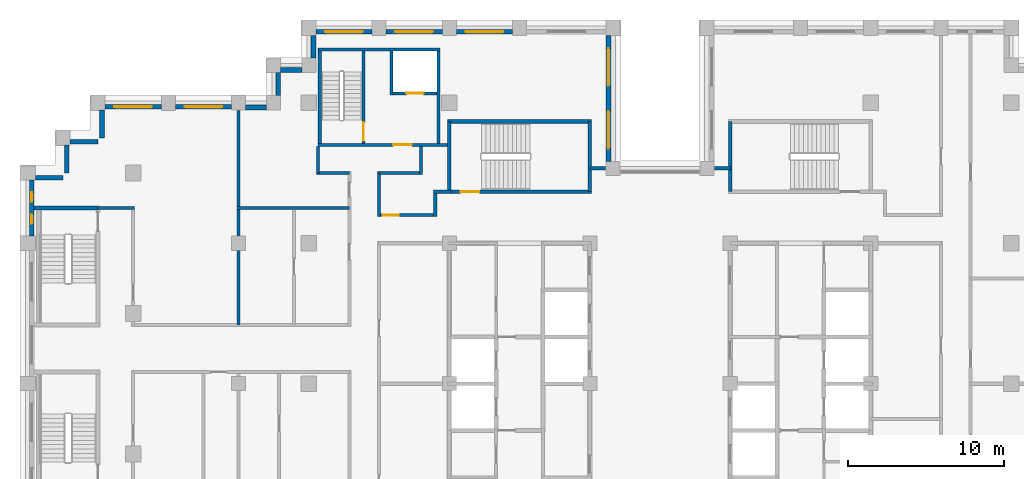
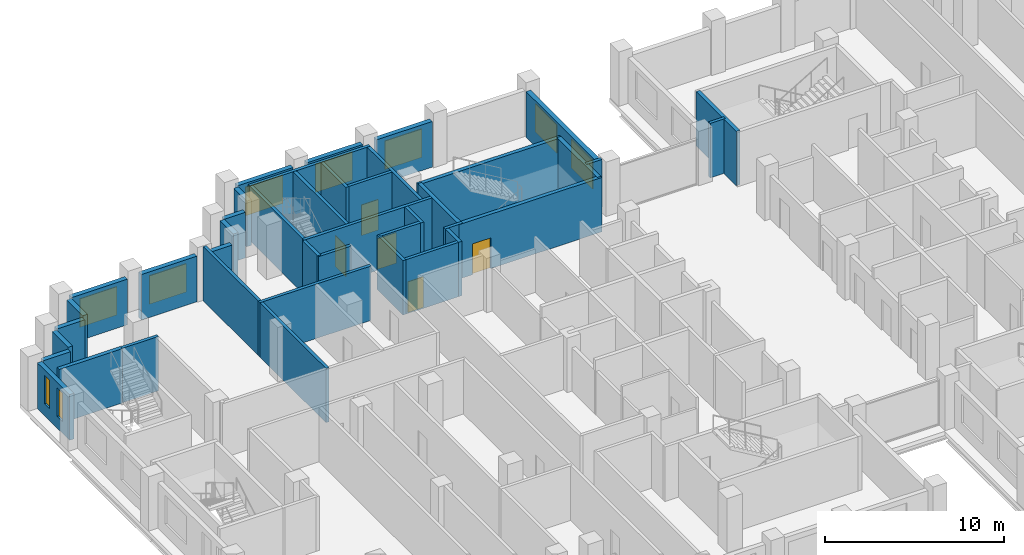
# One storey, part 10 of 15: 41 walls, 9 windows, 5 doors, 14 openings.
"""IFC4 building model written with IfcOpenShell, lengths in metres."""

from ifc_helpers import new_model, si_unit, direction, frame, frame_2d, origin, place, context, subcontext, project, spatial, rectangle, extrude, material, layer, layer_set, type_object, element, fill, save


model = new_model("IFC4")

# Units and contexts
model_context = context("Model", 3, precision=1e-05, world=origin(), true_north=direction((0.0, 1.0)))
body_context = subcontext(model_context, "Body", "Model", "MODEL_VIEW")
ifc_project = project(units=[si_unit("LENGTHUNIT", "METRE"), si_unit("AREAUNIT", "SQUARE_METRE"), si_unit("VOLUMEUNIT", "CUBIC_METRE"), si_unit("PLANEANGLEUNIT", "RADIAN"), si_unit("MASSUNIT", "GRAM", prefix="KILO")], contexts=[model_context])

# Site, building, storey
site_placement = place(None, origin())
site = spatial("IfcSite", under=ifc_project, at=site_placement, CompositionType="ELEMENT")
building_placement = place(site_placement, origin())
building = spatial("IfcBuilding", under=site, at=building_placement, Name="Corbelhall Arena Tower", CompositionType="ELEMENT")
storey_placement = place(building_placement, frame((0.0, 0.0, 200.0)))
storey = spatial("IfcBuildingStorey", under=building, at=storey_placement, Name="L41", CompositionType="ELEMENT", Elevation=200.0)

# Walls
ifc_material_1 = material(Name="Precast concrete C40/50 with granite facing", Category="masonry")
ifc_layer_1 = layer(ifc_material_1, 0.300048828125)
ifc_layer_set_1 = layer_set([ifc_layer_1], Name="EV-IW1 Infill panel 300")
wall_type_1 = type_object("IfcWallType", Name="EV-IW1 Infill panel 300", PredefinedType="SOLIDWALL", material=ifc_layer_set_1)
for number, where, z_axis, x_axis, name in (
    (1, (-35.75, 17.550048828125, 0.0), (0.0, 0.0, 1.0), (0.0, -1.0, 0.0), "Infill panel IW1"),
    (2, (-37.800048828125, 15.5, 0.0), (0.0, 0.0, 1.0), (1.0, 0.0, 0.0), "Infill panel IW1"),
    (3, (-38.0, 15.300048828125, 0.0), (0.0, 0.0, 1.0), (0.0, -1.0, 0.0), "Infill panel IW1"),
):
    element("IfcWall", number, at=place(storey_placement, frame(where, z_axis=z_axis, x_axis=x_axis)), inside=storey, type_object=wall_type_1, Name=name, PredefinedType="SOLIDWALL", context=body_context, shape_type="SweptSolid", body=[
        extrude(rectangle(XDim=1.800048828125, YDim=0.300048828125, at=frame_2d((0.89990234375, 0.0))), origin(), (0.0, 0.0, 1.0), 3.1201171875),
    ])
wall_1_placement = place(storey_placement, frame((-40.0, 13.199951171875, 0.0), z_axis=(0.0, 0.0, 1.0), x_axis=(1.0, 0.0, 0.0)))
element("IfcWall", 4, at=wall_1_placement, inside=storey, type_object=wall_type_1, Name="Infill panel IW1", PredefinedType="SOLIDWALL", context=body_context, shape_type="SweptSolid", body=[
    extrude(rectangle(XDim=1.75, YDim=0.300048828125, at=frame_2d((0.875, 0.0))), origin(), (0.0, 0.0, 1.0), 3.1201171875),
])
wall_2_placement = place(storey_placement, frame((-22.949951171875, 20.10009765625, 0.0), z_axis=(0.0, 0.0, 1.0), x_axis=(-1.0, 0.0, 0.0)))
element("IfcWall", 5, at=wall_2_placement, inside=storey, type_object=wall_type_1, Name="Infill panel IW1", PredefinedType="SOLIDWALL", context=body_context, shape_type="SweptSolid", body=[
    extrude(rectangle(XDim=1.35009765625, YDim=0.300048828125, at=frame_2d((0.675048828125, 0.0))), origin(), (0.0, 0.0, 1.0), 3.1201171875),
])
wall_3_placement = place(storey_placement, frame((-24.449951171875, 19.949951171875, 0.0), z_axis=(0.0, 0.0, 1.0), x_axis=(0.0, -1.0, 0.0)))
element("IfcWall", 6, at=wall_3_placement, inside=storey, type_object=wall_type_1, Name="Infill panel IW1", PredefinedType="SOLIDWALL", context=body_context, shape_type="SweptSolid", body=[
    extrude(rectangle(XDim=1.5, YDim=0.300048828125, at=frame_2d((0.75, 0.0))), origin(), (0.0, 0.0, 1.0), 3.1201171875),
])
wall_4_placement = place(storey_placement, frame((-25.199951171875, 17.699951171875, 0.0), z_axis=(0.0, 0.0, 1.0), x_axis=(-1.0, 0.0, 0.0)))
element("IfcWall", 7, at=wall_4_placement, inside=storey, type_object=wall_type_1, Name="Infill panel IW1", PredefinedType="SOLIDWALL", context=body_context, shape_type="SweptSolid", body=[
    extrude(rectangle(XDim=1.35009765625, YDim=0.300048828125, at=frame_2d((0.675048828125, 0.0))), origin(), (0.0, 0.0, 1.0), 3.1201171875),
])

# Wall, opening, window
wall_5_placement = place(storey_placement, frame((-27.449951171875, 17.75, 0.0), z_axis=(0.0, 0.0, 1.0), x_axis=(-1.0, 0.0, 0.0)))
wall_5 = element("IfcWall", 8, at=wall_5_placement, inside=storey, type_object=wall_type_1, Name="Infill panel IW1", PredefinedType="SOLIDWALL", context=body_context, shape_type="SweptSolid", body=[
    extrude(rectangle(XDim=3.60009765625, YDim=0.300048828125, at=frame_2d((1.800048828125, 0.0))), origin(), (0.0, 0.0, 1.0), 3.1201171875),
])
opening_1_placement = place(wall_5_placement, frame((0.60009765625, 0.0, 0.800048828125)))
opening_1 = element("IfcOpeningElement", 9, at=opening_1_placement, cuts=wall_5, Name="Opening WN1", PredefinedType="OPENING", context=body_context, shape_type="SweptSolid", body=[
    extrude(rectangle(XDim=2.39990234375, YDim=1.949951171875, at=frame_2d((1.199951171875, 0.97509765625))), frame((0.0, 0.14990234375, 0.0), z_axis=(0.0, -1.0, 0.0), x_axis=(1.0, 0.0, 0.0)), (0.0, 0.0, 1.0), 0.300048828125),
])
ifc_material_2 = material(Name="Aluminium black anodised", Category="aluminium")
window_type_1 = type_object("IfcWindowType", Name="EV-WN1 Office window", PartitioningType="SINGLE_PANEL", PredefinedType="WINDOW", material=ifc_material_2)
window_1_placement = place(opening_1_placement, origin())
window_1 = element("IfcWindow", 10, at=window_1_placement, inside=storey, type_object=window_type_1, Name="Window WN1", OverallHeight=1.949951171875, OverallWidth=2.39990234375, PartitioningType="SINGLE_PANEL", PredefinedType="WINDOW", context=body_context, shape_type="SweptSolid", body=[
    extrude(rectangle(XDim=2.39990234375, YDim=1.949951171875, at=frame_2d((1.199951171875, 0.97509765625))), frame((0.0, 0.030029296875, 0.0), z_axis=(0.0, -1.0, 0.0), x_axis=(1.0, 0.0, 0.0)), (0.0, 0.0, 1.0), 0.06005859375),
])
fill(opening_1, window_1)

wall_6_placement = place(storey_placement, frame((-31.949951171875, 17.75, 0.0), z_axis=(0.0, 0.0, 1.0), x_axis=(-1.0, 0.0, 0.0)))
wall_6 = element("IfcWall", 11, at=wall_6_placement, inside=storey, type_object=wall_type_1, Name="Infill panel IW1", PredefinedType="SOLIDWALL", context=body_context, shape_type="SweptSolid", body=[
    extrude(rectangle(XDim=3.60009765625, YDim=0.300048828125, at=frame_2d((1.800048828125, 0.0))), origin(), (0.0, 0.0, 1.0), 3.1201171875),
])
opening_2_placement = place(wall_6_placement, frame((0.60009765625, 0.0, 0.800048828125)))
opening_2 = element("IfcOpeningElement", 12, at=opening_2_placement, cuts=wall_6, Name="Opening WN1", PredefinedType="OPENING", context=body_context, shape_type="SweptSolid", body=[
    extrude(rectangle(XDim=2.39990234375, YDim=1.949951171875, at=frame_2d((1.199951171875, 0.97509765625))), frame((0.0, 0.14990234375, 0.0), z_axis=(0.0, -1.0, 0.0), x_axis=(1.0, 0.0, 0.0)), (0.0, 0.0, 1.0), 0.300048828125),
])
window_2_placement = place(opening_2_placement, origin())
window_2 = element("IfcWindow", 13, at=window_2_placement, inside=storey, type_object=window_type_1, Name="Window WN1", OverallHeight=1.949951171875, OverallWidth=2.39990234375, PartitioningType="SINGLE_PANEL", PredefinedType="WINDOW", context=body_context, shape_type="SweptSolid", body=[
    extrude(rectangle(XDim=2.39990234375, YDim=1.949951171875, at=frame_2d((1.199951171875, 0.97509765625))), frame((0.0, 0.030029296875, 0.0), z_axis=(0.0, -1.0, 0.0), x_axis=(1.0, 0.0, 0.0)), (0.0, 0.0, 1.0), 0.06005859375),
])
fill(opening_2, window_2)

# Wall, openings, windows
wall_7_placement = place(storey_placement, frame((-40.25, 13.050048828125, 0.0), z_axis=(0.0, 0.0, 1.0), x_axis=(0.0, -1.0, 0.0)))
wall_7 = element("IfcWall", 14, at=wall_7_placement, inside=storey, type_object=wall_type_1, Name="Infill panel IW1", PredefinedType="SOLIDWALL", context=body_context, shape_type="SweptSolid", body=[
    extrude(rectangle(XDim=3.60009765625, YDim=0.300048828125, at=frame_2d((1.800048828125, 0.0))), origin(), (0.0, 0.0, 1.0), 3.1201171875),
])
opening_3_placement = place(wall_7_placement, frame((0.78759765625, 0.0, 0.800048828125)))
opening_3 = element("IfcOpeningElement", 15, at=opening_3_placement, cuts=wall_7, Name="Opening WN5", PredefinedType="OPENING", context=body_context, shape_type="SweptSolid", body=[
    extrude(rectangle(XDim=0.60009765625, YDim=1.949951171875, at=frame_2d((0.300048828125, 0.97509765625))), frame((0.0, 0.14990234375, 0.0), z_axis=(0.0, -1.0, 0.0), x_axis=(1.0, 0.0, 0.0)), (0.0, 0.0, 1.0), 0.300048828125),
])
opening_4_placement = place(wall_7_placement, frame((2.21240234375, 0.0, 0.800048828125)))
opening_4 = element("IfcOpeningElement", 16, at=opening_4_placement, cuts=wall_7, Name="Opening WN5", PredefinedType="OPENING", context=body_context, shape_type="SweptSolid", body=[
    extrude(rectangle(XDim=0.60009765625, YDim=1.949951171875, at=frame_2d((0.300048828125, 0.97509765625))), frame((0.0, 0.14990234375, 0.0), z_axis=(0.0, -1.0, 0.0), x_axis=(1.0, 0.0, 0.0)), (0.0, 0.0, 1.0), 0.300048828125),
])
window_type_2 = type_object("IfcWindowType", Name="EV-WN5 Office window 600", PartitioningType="SINGLE_PANEL", PredefinedType="WINDOW", material=ifc_material_2)
window_3_placement = place(opening_3_placement, origin())
window_3 = element("IfcWindow", 17, at=window_3_placement, inside=storey, type_object=window_type_2, Name="Window WN5", OverallHeight=1.949951171875, OverallWidth=0.60009765625, PartitioningType="SINGLE_PANEL", PredefinedType="WINDOW", context=body_context, shape_type="SweptSolid", body=[
    extrude(rectangle(XDim=0.60009765625, YDim=1.949951171875, at=frame_2d((0.300048828125, 0.97509765625))), frame((0.0, 0.030029296875, 0.0), z_axis=(0.0, -1.0, 0.0), x_axis=(1.0, 0.0, 0.0)), (0.0, 0.0, 1.0), 0.06005859375),
])
fill(opening_3, window_3)
window_4_placement = place(opening_4_placement, origin())
window_4 = element("IfcWindow", 18, at=window_4_placement, inside=storey, type_object=window_type_2, Name="Window WN5", OverallHeight=1.949951171875, OverallWidth=0.60009765625, PartitioningType="SINGLE_PANEL", PredefinedType="WINDOW", context=body_context, shape_type="SweptSolid", body=[
    extrude(rectangle(XDim=0.60009765625, YDim=1.949951171875, at=frame_2d((0.300048828125, 0.97509765625))), frame((0.0, 0.030029296875, 0.0), z_axis=(0.0, -1.0, 0.0), x_axis=(1.0, 0.0, 0.0)), (0.0, 0.0, 1.0), 0.06005859375),
])
fill(opening_4, window_4)

wall_8_placement = place(storey_placement, frame((-3.300048828125, 14.25, 0.0), z_axis=(0.0, 0.0, 1.0), x_axis=(0.0, 1.0, 0.0)))
wall_8 = element("IfcWall", 19, at=wall_8_placement, inside=storey, type_object=wall_type_1, Name="Infill panel IW1", PredefinedType="SOLIDWALL", context=body_context, shape_type="SweptSolid", body=[
    extrude(rectangle(XDim=8.050048828125, YDim=0.300048828125, at=frame_2d((4.02490234375, 0.0))), origin(), (0.0, 0.0, 1.0), 3.1201171875),
])
opening_5_placement = place(wall_8_placement, frame((0.8125, 0.0, 0.800048828125)))
opening_5 = element("IfcOpeningElement", 20, at=opening_5_placement, cuts=wall_8, Name="Opening WN1", PredefinedType="OPENING", context=body_context, shape_type="SweptSolid", body=[
    extrude(rectangle(XDim=2.39990234375, YDim=1.949951171875, at=frame_2d((1.199951171875, 0.97509765625))), frame((0.0, 0.14990234375, 0.0), z_axis=(0.0, -1.0, 0.0), x_axis=(1.0, 0.0, 0.0)), (0.0, 0.0, 1.0), 0.300048828125),
])
opening_6_placement = place(wall_8_placement, frame((4.83740234375, 0.0, 0.800048828125)))
opening_6 = element("IfcOpeningElement", 21, at=opening_6_placement, cuts=wall_8, Name="Opening WN1", PredefinedType="OPENING", context=body_context, shape_type="SweptSolid", body=[
    extrude(rectangle(XDim=2.39990234375, YDim=1.949951171875, at=frame_2d((1.199951171875, 0.97509765625))), frame((0.0, 0.14990234375, 0.0), z_axis=(0.0, -1.0, 0.0), x_axis=(1.0, 0.0, 0.0)), (0.0, 0.0, 1.0), 0.300048828125),
])
window_5_placement = place(opening_5_placement, origin())
window_5 = element("IfcWindow", 22, at=window_5_placement, inside=storey, type_object=window_type_1, Name="Window WN1", OverallHeight=1.949951171875, OverallWidth=2.39990234375, PartitioningType="SINGLE_PANEL", PredefinedType="WINDOW", context=body_context, shape_type="SweptSolid", body=[
    extrude(rectangle(XDim=2.39990234375, YDim=1.949951171875, at=frame_2d((1.199951171875, 0.97509765625))), frame((0.0, 0.030029296875, 0.0), z_axis=(0.0, -1.0, 0.0), x_axis=(1.0, 0.0, 0.0)), (0.0, 0.0, 1.0), 0.06005859375),
])
fill(opening_5, window_5)
window_6_placement = place(opening_6_placement, origin())
window_6 = element("IfcWindow", 23, at=window_6_placement, inside=storey, type_object=window_type_1, Name="Window WN1", OverallHeight=1.949951171875, OverallWidth=2.39990234375, PartitioningType="SINGLE_PANEL", PredefinedType="WINDOW", context=body_context, shape_type="SweptSolid", body=[
    extrude(rectangle(XDim=2.39990234375, YDim=1.949951171875, at=frame_2d((1.199951171875, 0.97509765625))), frame((0.0, 0.030029296875, 0.0), z_axis=(0.0, -1.0, 0.0), x_axis=(1.0, 0.0, 0.0)), (0.0, 0.0, 1.0), 0.06005859375),
])
fill(opening_6, window_6)

# Wall, opening, window
wall_9_placement = place(storey_placement, frame((-9.449951171875, 22.550048828125, 0.0), z_axis=(0.0, 0.0, 1.0), x_axis=(-1.0, 0.0, 0.0)))
wall_9 = element("IfcWall", 24, at=wall_9_placement, inside=storey, type_object=wall_type_1, Name="Infill panel IW1", PredefinedType="SOLIDWALL", context=body_context, shape_type="SweptSolid", body=[
    extrude(rectangle(XDim=3.60009765625, YDim=0.300048828125, at=frame_2d((1.800048828125, 0.0))), origin(), (0.0, 0.0, 1.0), 3.1201171875),
])
opening_7_placement = place(wall_9_placement, frame((0.60009765625, 0.0, 0.800048828125)))
opening_7 = element("IfcOpeningElement", 25, at=opening_7_placement, cuts=wall_9, Name="Opening WN1", PredefinedType="OPENING", context=body_context, shape_type="SweptSolid", body=[
    extrude(rectangle(XDim=2.39990234375, YDim=1.949951171875, at=frame_2d((1.199951171875, 0.97509765625))), frame((0.0, 0.14990234375, 0.0), z_axis=(0.0, -1.0, 0.0), x_axis=(1.0, 0.0, 0.0)), (0.0, 0.0, 1.0), 0.300048828125),
])
window_7_placement = place(opening_7_placement, origin())
window_7 = element("IfcWindow", 26, at=window_7_placement, inside=storey, type_object=window_type_1, Name="Window WN1", OverallHeight=1.949951171875, OverallWidth=2.39990234375, PartitioningType="SINGLE_PANEL", PredefinedType="WINDOW", context=body_context, shape_type="SweptSolid", body=[
    extrude(rectangle(XDim=2.39990234375, YDim=1.949951171875, at=frame_2d((1.199951171875, 0.97509765625))), frame((0.0, 0.030029296875, 0.0), z_axis=(0.0, -1.0, 0.0), x_axis=(1.0, 0.0, 0.0)), (0.0, 0.0, 1.0), 0.06005859375),
])
fill(opening_7, window_7)

wall_10_placement = place(storey_placement, frame((-13.949951171875, 22.550048828125, 0.0), z_axis=(0.0, 0.0, 1.0), x_axis=(-1.0, 0.0, 0.0)))
wall_10 = element("IfcWall", 27, at=wall_10_placement, inside=storey, type_object=wall_type_1, Name="Infill panel IW1", PredefinedType="SOLIDWALL", context=body_context, shape_type="SweptSolid", body=[
    extrude(rectangle(XDim=3.60009765625, YDim=0.300048828125, at=frame_2d((1.800048828125, 0.0))), origin(), (0.0, 0.0, 1.0), 3.1201171875),
])
opening_8_placement = place(wall_10_placement, frame((0.60009765625, 0.0, 0.800048828125)))
opening_8 = element("IfcOpeningElement", 28, at=opening_8_placement, cuts=wall_10, Name="Opening WN1", PredefinedType="OPENING", context=body_context, shape_type="SweptSolid", body=[
    extrude(rectangle(XDim=2.39990234375, YDim=1.949951171875, at=frame_2d((1.199951171875, 0.97509765625))), frame((0.0, 0.14990234375, 0.0), z_axis=(0.0, -1.0, 0.0), x_axis=(1.0, 0.0, 0.0)), (0.0, 0.0, 1.0), 0.300048828125),
])
window_8_placement = place(opening_8_placement, origin())
window_8 = element("IfcWindow", 29, at=window_8_placement, inside=storey, type_object=window_type_1, Name="Window WN1", OverallHeight=1.949951171875, OverallWidth=2.39990234375, PartitioningType="SINGLE_PANEL", PredefinedType="WINDOW", context=body_context, shape_type="SweptSolid", body=[
    extrude(rectangle(XDim=2.39990234375, YDim=1.949951171875, at=frame_2d((1.199951171875, 0.97509765625))), frame((0.0, 0.030029296875, 0.0), z_axis=(0.0, -1.0, 0.0), x_axis=(1.0, 0.0, 0.0)), (0.0, 0.0, 1.0), 0.06005859375),
])
fill(opening_8, window_8)

wall_11_placement = place(storey_placement, frame((-18.449951171875, 22.550048828125, 0.0), z_axis=(0.0, 0.0, 1.0), x_axis=(-1.0, 0.0, 0.0)))
wall_11 = element("IfcWall", 30, at=wall_11_placement, inside=storey, type_object=wall_type_1, Name="Infill panel IW1", PredefinedType="SOLIDWALL", context=body_context, shape_type="SweptSolid", body=[
    extrude(rectangle(XDim=3.60009765625, YDim=0.300048828125, at=frame_2d((1.800048828125, 0.0))), origin(), (0.0, 0.0, 1.0), 3.1201171875),
])
opening_9_placement = place(wall_11_placement, frame((0.60009765625, 0.0, 0.800048828125)))
opening_9 = element("IfcOpeningElement", 31, at=opening_9_placement, cuts=wall_11, Name="Opening WN1", PredefinedType="OPENING", context=body_context, shape_type="SweptSolid", body=[
    extrude(rectangle(XDim=2.39990234375, YDim=1.949951171875, at=frame_2d((1.199951171875, 0.97509765625))), frame((0.0, 0.14990234375, 0.0), z_axis=(0.0, -1.0, 0.0), x_axis=(1.0, 0.0, 0.0)), (0.0, 0.0, 1.0), 0.300048828125),
])
window_9_placement = place(opening_9_placement, origin())
window_9 = element("IfcWindow", 32, at=window_9_placement, inside=storey, type_object=window_type_1, Name="Window WN1", OverallHeight=1.949951171875, OverallWidth=2.39990234375, PartitioningType="SINGLE_PANEL", PredefinedType="WINDOW", context=body_context, shape_type="SweptSolid", body=[
    extrude(rectangle(XDim=2.39990234375, YDim=1.949951171875, at=frame_2d((1.199951171875, 0.97509765625))), frame((0.0, 0.030029296875, 0.0), z_axis=(0.0, -1.0, 0.0), x_axis=(1.0, 0.0, 0.0)), (0.0, 0.0, 1.0), 0.06005859375),
])
fill(opening_9, window_9)

# Walls
wall_12_placement = place(storey_placement, frame((-22.199951171875, 22.300048828125, 0.0), z_axis=(0.0, 0.0, 1.0), x_axis=(0.0, -1.0, 0.0)))
element("IfcWall", 33, at=wall_12_placement, inside=storey, type_object=wall_type_1, Name="Infill panel IW1", PredefinedType="SOLIDWALL", context=body_context, shape_type="SweptSolid", body=[
    extrude(rectangle(XDim=1.449951171875, YDim=0.300048828125, at=frame_2d((0.72509765625, 0.0))), origin(), (0.0, 0.0, 1.0), 3.1201171875),
])
ifc_material_3 = material(Name="Gypsum board on steel stud, acoustic", Category="steel")
ifc_layer_2 = layer(ifc_material_3, 0.199951171875)
ifc_layer_set_2 = layer_set([ifc_layer_2], Name="IN-W-DM200")
wall_type_2 = type_object("IfcWallType", Name="IN-W-DM200", PredefinedType="PARTITIONING", material=ifc_layer_set_2)
wall_13_placement = place(storey_placement, frame((-36.0, 11.25, 0.0), z_axis=(0.0, 0.0, 1.0), x_axis=(1.0, 0.0, 0.0)))
element("IfcWall", 34, at=wall_13_placement, inside=storey, type_object=wall_type_2, Name="Partition 001", PredefinedType="PARTITIONING", context=body_context, shape_type="SweptSolid", body=[
    extrude(rectangle(XDim=2.35009765625, YDim=0.199951171875, at=frame_2d((1.175048828125, 0.0))), origin(), (0.0, 0.0, 1.0), 3.719970703125),
])
wall_14_placement = place(storey_placement, frame((-27.10009765625, 11.25, 0.0), z_axis=(0.0, 0.0, 1.0), x_axis=(1.0, 0.0, 0.0)))
element("IfcWall", 35, at=wall_14_placement, inside=storey, type_object=wall_type_2, Name="Partition 008", PredefinedType="PARTITIONING", context=body_context, shape_type="SweptSolid", body=[
    extrude(rectangle(XDim=7.2001953125, YDim=0.199951171875, at=frame_2d((3.60009765625, 0.0))), origin(), (0.0, 0.0, 1.0), 3.719970703125),
])
wall_15_placement = place(storey_placement, frame((-27.0, 3.75, 0.0), z_axis=(0.0, 0.0, 1.0), x_axis=(0.0, 1.0, 0.0)))
element("IfcWall", 36, at=wall_15_placement, inside=storey, type_object=wall_type_2, Name="Partition 010", PredefinedType="PARTITIONING", context=body_context, shape_type="SweptSolid", body=[
    extrude(rectangle(XDim=13.75, YDim=0.199951171875, at=frame_2d((6.875, 0.0))), origin(), (0.0, 0.0, 1.0), 3.719970703125),
])
wall_16_placement = place(storey_placement, frame((-21.89990234375, 13.5, 0.0), z_axis=(0.0, 0.0, 1.0), x_axis=(0.0, 1.0, 0.0)))
element("IfcWall", 37, at=wall_16_placement, inside=storey, type_object=wall_type_2, Name="Partition 014", PredefinedType="PARTITIONING", context=body_context, shape_type="SweptSolid", body=[
    extrude(rectangle(XDim=1.699951171875, YDim=0.199951171875, at=frame_2d((0.85009765625, 0.0))), origin(), (0.0, 0.0, 1.0), 3.719970703125),
])
wall_17_placement = place(storey_placement, frame((-19.89990234375, 13.5, 0.0), z_axis=(0.0, 0.0, 1.0), x_axis=(-1.0, 0.0, 0.0)))
element("IfcWall", 38, at=wall_17_placement, inside=storey, type_object=wall_type_2, Name="Partition 017", PredefinedType="PARTITIONING", context=body_context, shape_type="SweptSolid", body=[
    extrude(rectangle(XDim=2.10009765625, YDim=0.199951171875, at=frame_2d((1.050048828125, 0.0))), origin(), (0.0, 0.0, 1.0), 3.719970703125),
])

# Wall, opening, door
wall_18_placement = place(storey_placement, frame((-18.0, 10.800048828125, 0.0), z_axis=(0.0, 0.0, 1.0), x_axis=(1.0, 0.0, 0.0)))
wall_18 = element("IfcWall", 39, at=wall_18_placement, inside=storey, type_object=wall_type_2, Name="Partition 022", PredefinedType="PARTITIONING", context=body_context, shape_type="SweptSolid", body=[
    extrude(rectangle(XDim=3.60009765625, YDim=0.199951171875, at=frame_2d((1.800048828125, 0.0))), origin(), (0.0, 0.0, 1.0), 3.719970703125),
])
opening_10_placement = place(wall_18_placement, frame((0.25, 0.0, 0.0)))
opening_10 = element("IfcOpeningElement", 40, at=opening_10_placement, cuts=wall_18, Name="Opening 12027", PredefinedType="OPENING", context=body_context, shape_type="SweptSolid", body=[
    extrude(rectangle(XDim=1.0, YDim=2.10009765625, at=frame_2d((0.5, 1.050048828125))), frame((0.0, 0.10009765625, 0.0), z_axis=(0.0, -1.0, 0.0), x_axis=(1.0, 0.0, 0.0)), (0.0, 0.0, 1.0), 0.199951171875),
])
ifc_material_4 = material(Name="Steel door set", Category="steel")
door_type_1 = type_object("IfcDoorType", Name="IN-D-SW100", OperationType="NOTDEFINED", PredefinedType="DOOR", material=ifc_material_4)
door_1_placement = place(opening_10_placement, origin())
door_1 = element("IfcDoor", 41, at=door_1_placement, inside=storey, type_object=door_type_1, Name="Door 027", OperationType="SINGLE_SWING_RIGHT", OverallHeight=2.10009765625, OverallWidth=1.0, PredefinedType="DOOR", context=body_context, shape_type="SweptSolid", body=[
    extrude(rectangle(XDim=1.0, YDim=2.10009765625, at=frame_2d((0.5, 1.050048828125))), frame((0.0, 0.02490234375, 0.0), z_axis=(0.0, -1.0, 0.0), x_axis=(1.0, 0.0, 0.0)), (0.0, 0.0, 1.0), 0.050048828125),
])
fill(opening_10, door_1)

# Walls
wall_19_placement = place(storey_placement, frame((-18.0, 13.60009765625, 0.0), z_axis=(0.0, 0.0, 1.0), x_axis=(0.0, -1.0, 0.0)))
element("IfcWall", 42, at=wall_19_placement, inside=storey, type_object=wall_type_2, Name="Partition 023", PredefinedType="PARTITIONING", context=body_context, shape_type="SweptSolid", body=[
    extrude(rectangle(XDim=2.900146484375, YDim=0.199951171875, at=frame_2d((1.4501953125, 0.0))), origin(), (0.0, 0.0, 1.0), 3.719970703125),
])
wall_20_placement = place(storey_placement, frame((-15.300048828125, 13.5, 0.0), z_axis=(0.0, 0.0, 1.0), x_axis=(-1.0, 0.0, 0.0)))
element("IfcWall", 43, at=wall_20_placement, inside=storey, type_object=wall_type_2, Name="Partition 024", PredefinedType="PARTITIONING", context=body_context, shape_type="SweptSolid", body=[
    extrude(rectangle(XDim=2.699951171875, YDim=0.199951171875, at=frame_2d((1.35009765625, 0.0))), origin(), (0.0, 0.0, 1.0), 3.719970703125),
])
wall_21_placement = place(storey_placement, frame((-15.300048828125, 15.199951171875, 0.0), z_axis=(0.0, 0.0, 1.0), x_axis=(0.0, -1.0, 0.0)))
element("IfcWall", 44, at=wall_21_placement, inside=storey, type_object=wall_type_2, Name="Partition 025", PredefinedType="PARTITIONING", context=body_context, shape_type="SweptSolid", body=[
    extrude(rectangle(XDim=1.800048828125, YDim=0.199951171875, at=frame_2d((0.89990234375, 0.0))), origin(), (0.0, 0.0, 1.0), 3.719970703125),
])
wall_22_placement = place(storey_placement, frame((-14.5, 12.300048828125, 0.0), z_axis=(0.0, 0.0, 1.0), x_axis=(1.0, 0.0, 0.0)))
element("IfcWall", 45, at=wall_22_placement, inside=storey, type_object=wall_type_2, Name="Partition 026", PredefinedType="PARTITIONING", context=body_context, shape_type="SweptSolid", body=[
    extrude(rectangle(XDim=1.125, YDim=0.199951171875, at=frame_2d((0.5625, 0.0))), origin(), (0.0, 0.0, 1.0), 3.719970703125),
])
wall_23_placement = place(storey_placement, frame((-14.39990234375, 10.699951171875, 0.0), z_axis=(0.0, 0.0, 1.0), x_axis=(0.0, 1.0, 0.0)))
element("IfcWall", 46, at=wall_23_placement, inside=storey, type_object=wall_type_2, Name="Partition 030", PredefinedType="PARTITIONING", context=body_context, shape_type="SweptSolid", body=[
    extrude(rectangle(XDim=1.60009765625, YDim=0.199951171875, at=frame_2d((0.800048828125, 0.0))), origin(), (0.0, 0.0, 1.0), 3.719970703125),
])
for number, where, z_axis, x_axis, name in (
    (47, (-4.5, 13.800048828125, 0.0), (0.0, 0.0, 1.0), (1.0, 0.0, 0.0), "Partition 032"),
    (48, (3.5, 13.800048828125, 0.0), (0.0, 0.0, 1.0), (1.0, 0.0, 0.0), "Partition 034"),
):
    element("IfcWall", number, at=place(storey_placement, frame(where, z_axis=z_axis, x_axis=x_axis)), inside=storey, type_object=wall_type_2, Name=name, PredefinedType="PARTITIONING", context=body_context, shape_type="SweptSolid", body=[
        extrude(rectangle(XDim=1.0, YDim=0.199951171875, at=frame_2d((0.5, 0.0))), origin(), (0.0, 0.0, 1.0), 3.719970703125),
    ])

# Wall, opening, door
ifc_material_5 = material(Name="Concrete C40/50", Category="concrete")
ifc_layer_3 = layer(ifc_material_5, 0.199951171875)
ifc_layer_set_3 = layer_set([ifc_layer_3], Name="IN-W-EAR200")
wall_type_3 = type_object("IfcWallType", Name="IN-W-EAR200", PredefinedType="SOLIDWALL", material=ifc_layer_set_3)
wall_24_placement = place(storey_placement, frame((-21.89990234375, 15.300048828125, 0.0), z_axis=(0.0, 0.0, 1.0), x_axis=(1.0, 0.0, 0.0)))
wall_24 = element("IfcWall", 49, at=wall_24_placement, inside=storey, type_object=wall_type_3, Name="Fire service turret wall south", PredefinedType="SOLIDWALL", context=body_context, shape_type="SweptSolid", body=[
    extrude(rectangle(XDim=8.27490234375, YDim=0.199951171875, at=frame_2d((4.137451171875, 0.0))), origin(), (0.0, 0.0, 1.0), 3.719970703125),
])
opening_11_placement = place(wall_24_placement, frame((4.800048828125, 0.0, 0.0)))
opening_11 = element("IfcOpeningElement", 50, at=opening_11_placement, cuts=wall_24, Name="Opening E122", PredefinedType="OPENING", context=body_context, shape_type="SweptSolid", body=[
    extrude(rectangle(XDim=1.199951171875, YDim=2.10009765625, at=frame_2d((0.60009765625, 1.050048828125))), frame((0.0, 0.10009765625, 0.0), z_axis=(0.0, -1.0, 0.0), x_axis=(1.0, 0.0, 0.0)), (0.0, 0.0, 1.0), 0.199951171875),
])
door_type_2 = type_object("IfcDoorType", Name="IN-D-ST120", OperationType="NOTDEFINED", PredefinedType="DOOR", material=ifc_material_4)
door_2_placement = place(opening_11_placement, origin())
door_2 = element("IfcDoor", 51, at=door_2_placement, inside=storey, type_object=door_type_2, Name="Door from fire service lift lobby to circulation", OperationType="SINGLE_SWING_RIGHT", OverallHeight=2.10009765625, OverallWidth=1.199951171875, PredefinedType="DOOR", context=body_context, shape_type="SweptSolid", body=[
    extrude(rectangle(XDim=1.199951171875, YDim=2.10009765625, at=frame_2d((0.60009765625, 1.050048828125))), frame((0.0, 0.02490234375, 0.0), z_axis=(0.0, -1.0, 0.0), x_axis=(1.0, 0.0, 0.0)), (0.0, 0.0, 1.0), 0.050048828125),
])
fill(opening_11, door_2)

# Walls
wall_25_placement = place(storey_placement, frame((-21.89990234375, 21.39990234375, 0.0), z_axis=(0.0, 0.0, 1.0), x_axis=(1.0, 0.0, 0.0)))
element("IfcWall", 52, at=wall_25_placement, inside=storey, type_object=wall_type_3, Name="Fire service turret wall north", PredefinedType="SOLIDWALL", context=body_context, shape_type="SweptSolid", body=[
    extrude(rectangle(XDim=7.7998046875, YDim=0.199951171875, at=frame_2d((3.89990234375, 0.0))), origin(), (0.0, 0.0, 1.0), 3.719970703125),
])
for number, where, z_axis, x_axis, name in (
    (53, (-21.800048828125, 15.39990234375, 0.0), (0.0, 0.0, 1.0), (0.0, 1.0, 0.0), "Fire service turret wall west"),
    (54, (-14.199951171875, 15.39990234375, 0.0), (0.0, 0.0, 1.0), (0.0, 1.0, 0.0), "Fire service turret wall east"),
):
    element("IfcWall", number, at=place(storey_placement, frame(where, z_axis=z_axis, x_axis=x_axis)), inside=storey, type_object=wall_type_3, Name=name, PredefinedType="SOLIDWALL", context=body_context, shape_type="SweptSolid", body=[
        extrude(rectangle(XDim=5.900146484375, YDim=0.199951171875, at=frame_2d((2.9501953125, 0.0))), origin(), (0.0, 0.0, 1.0), 3.719970703125),
    ])

# Wall, opening, door
wall_26_placement = place(storey_placement, frame((-18.989990234375, 15.39990234375, 0.0), z_axis=(0.0, 0.0, 1.0), x_axis=(0.0, 1.0, 0.0)))
wall_26 = element("IfcWall", 55, at=wall_26_placement, inside=storey, type_object=wall_type_3, Name="Fire service turret wall stair", PredefinedType="SOLIDWALL", context=body_context, shape_type="SweptSolid", body=[
    extrude(rectangle(XDim=5.900146484375, YDim=0.199951171875, at=frame_2d((2.9501953125, 0.0))), origin(), (0.0, 0.0, 1.0), 3.719970703125),
])
opening_12_placement = place(wall_26_placement, frame((0.14990234375, 0.0, 0.0)))
opening_12 = element("IfcOpeningElement", 56, at=opening_12_placement, cuts=wall_26, Name="Opening E121", PredefinedType="OPENING", context=body_context, shape_type="SweptSolid", body=[
    extrude(rectangle(XDim=1.199951171875, YDim=2.10009765625, at=frame_2d((0.60009765625, 1.050048828125))), frame((0.0, 0.10009765625, 0.0), z_axis=(0.0, -1.0, 0.0), x_axis=(1.0, 0.0, 0.0)), (0.0, 0.0, 1.0), 0.199951171875),
])
door_3_placement = place(opening_12_placement, origin())
door_3 = element("IfcDoor", 57, at=door_3_placement, inside=storey, type_object=door_type_2, Name="Stair door to fire service lobby", OperationType="SINGLE_SWING_LEFT", OverallHeight=2.10009765625, OverallWidth=1.199951171875, PredefinedType="DOOR", context=body_context, shape_type="SweptSolid", body=[
    extrude(rectangle(XDim=1.199951171875, YDim=2.10009765625, at=frame_2d((0.60009765625, 1.050048828125))), frame((0.0, 0.02490234375, 0.0), z_axis=(0.0, -1.0, 0.0), x_axis=(1.0, 0.0, 0.0)), (0.0, 0.0, 1.0), 0.050048828125),
])
fill(opening_12, door_3)

# Wall
wall_27_placement = place(storey_placement, frame((-17.199951171875, 18.5, 0.0), z_axis=(0.0, 0.0, 1.0), x_axis=(0.0, 1.0, 0.0)))
element("IfcWall", 58, at=wall_27_placement, inside=storey, type_object=wall_type_3, Name="Fire service turret wall hoistway west", PredefinedType="SOLIDWALL", context=body_context, shape_type="SweptSolid", body=[
    extrude(rectangle(XDim=2.800048828125, YDim=0.199951171875, at=frame_2d((1.39990234375, 0.0))), origin(), (0.0, 0.0, 1.0), 3.719970703125),
])

# Wall, opening, door
wall_28_placement = place(storey_placement, frame((-17.10009765625, 18.60009765625, 0.0), z_axis=(0.0, 0.0, 1.0), x_axis=(1.0, 0.0, 0.0)))
wall_28 = element("IfcWall", 59, at=wall_28_placement, inside=storey, type_object=wall_type_3, Name="Fire service turret wall hoistway south", PredefinedType="SOLIDWALL", context=body_context, shape_type="SweptSolid", body=[
    extrude(rectangle(XDim=2.800048828125, YDim=0.199951171875, at=frame_2d((1.39990234375, 0.0))), origin(), (0.0, 0.0, 1.0), 3.719970703125),
])
opening_13_placement = place(wall_28_placement, frame((0.85009765625, 0.0, 0.0)))
opening_13 = element("IfcOpeningElement", 60, at=opening_13_placement, cuts=wall_28, Name="Opening LD", PredefinedType="OPENING", context=body_context, shape_type="SweptSolid", body=[
    extrude(rectangle(XDim=1.10009765625, YDim=2.10009765625, at=frame_2d((0.550048828125, 1.050048828125))), frame((0.0, 0.10009765625, 0.0), z_axis=(0.0, -1.0, 0.0), x_axis=(1.0, 0.0, 0.0)), (0.0, 0.0, 1.0), 0.199951171875),
])
door_type_3 = type_object("IfcDoorType", Name="IN-D-LD110", OperationType="NOTDEFINED", PredefinedType="DOOR", material=ifc_material_4)
door_4_placement = place(opening_13_placement, origin())
door_4 = element("IfcDoor", 61, at=door_4_placement, inside=storey, type_object=door_type_3, Name="Landing door FS1", OperationType="SLIDING_TO_LEFT", OverallHeight=2.10009765625, OverallWidth=1.10009765625, PredefinedType="DOOR", context=body_context, shape_type="SweptSolid", body=[
    extrude(rectangle(XDim=1.10009765625, YDim=2.10009765625, at=frame_2d((0.550048828125, 1.050048828125))), frame((0.0, 0.02490234375, 0.0), z_axis=(0.0, -1.0, 0.0), x_axis=(1.0, 0.0, 0.0)), (0.0, 0.0, 1.0), 0.050048828125),
])
fill(opening_13, door_4)

# Wall
ifc_layer_4 = layer(ifc_material_5, 0.25)
ifc_layer_set_4 = layer_set([ifc_layer_4], Name="IN-W-ST250")
wall_type_4 = type_object("IfcWallType", Name="IN-W-ST250", PredefinedType="SOLIDWALL", material=ifc_layer_set_4)
wall_29_placement = place(storey_placement, frame((-40.10009765625, 11.25, 0.0), z_axis=(0.0, 0.0, 1.0), x_axis=(1.0, 0.0, 0.0)))
element("IfcWall", 62, at=wall_29_placement, inside=storey, type_object=wall_type_4, Name="Shaft wall 097", PredefinedType="SOLIDWALL", context=body_context, shape_type="SweptSolid", body=[
    extrude(rectangle(XDim=4.10009765625, YDim=0.25, at=frame_2d((2.050048828125, 0.0))), origin(), (0.0, 0.0, 1.0), 3.719970703125),
])

# Wall, opening, door
wall_30_placement = place(storey_placement, frame((-13.625, 12.300048828125, 0.0), z_axis=(0.0, 0.0, 1.0), x_axis=(1.0, 0.0, 0.0)))
wall_30 = element("IfcWall", 63, at=wall_30_placement, inside=storey, type_object=wall_type_4, Name="Shaft wall 102", PredefinedType="SOLIDWALL", context=body_context, shape_type="SweptSolid", body=[
    extrude(rectangle(XDim=9.25, YDim=0.25, at=frame_2d((4.625, 0.0))), origin(), (0.0, 0.0, 1.0), 3.719970703125),
])
opening_14_placement = place(wall_30_placement, frame((0.85009765625, 0.0, 0.0)))
opening_14 = element("IfcOpeningElement", 64, at=opening_14_placement, cuts=wall_30, Name="Opening 12017", PredefinedType="OPENING", context=body_context, shape_type="SweptSolid", body=[
    extrude(rectangle(XDim=1.199951171875, YDim=2.10009765625, at=frame_2d((0.60009765625, 1.050048828125))), frame((0.0, 0.125, 0.0), z_axis=(0.0, -1.0, 0.0), x_axis=(1.0, 0.0, 0.0)), (0.0, 0.0, 1.0), 0.25),
])
door_5_placement = place(opening_14_placement, origin())
door_5 = element("IfcDoor", 65, at=door_5_placement, inside=storey, type_object=door_type_2, Name="Door 017", OperationType="SINGLE_SWING_RIGHT", OverallHeight=2.10009765625, OverallWidth=1.199951171875, PredefinedType="DOOR", context=body_context, shape_type="SweptSolid", body=[
    extrude(rectangle(XDim=1.199951171875, YDim=2.10009765625, at=frame_2d((0.60009765625, 1.050048828125))), frame((0.0, 0.02490234375, 0.0), z_axis=(0.0, -1.0, 0.0), x_axis=(1.0, 0.0, 0.0)), (0.0, 0.0, 1.0), 0.050048828125),
])
fill(opening_14, door_5)

# Walls
wall_31_placement = place(storey_placement, frame((-13.625, 16.800048828125, 0.0), z_axis=(0.0, 0.0, 1.0), x_axis=(1.0, 0.0, 0.0)))
element("IfcWall", 66, at=wall_31_placement, inside=storey, type_object=wall_type_4, Name="Shaft wall 103", PredefinedType="SOLIDWALL", context=body_context, shape_type="SweptSolid", body=[
    extrude(rectangle(XDim=9.25, YDim=0.25, at=frame_2d((4.625, 0.0))), origin(), (0.0, 0.0, 1.0), 3.719970703125),
])
for number, where, z_axis, x_axis, name in (
    (67, (-13.5, 12.300048828125, 0.0), (0.0, 0.0, 1.0), (0.0, 1.0, 0.0), "Shaft wall 105"),
    (68, (-4.5, 16.800048828125, 0.0), (0.0, 0.0, 1.0), (0.0, -1.0, 0.0), "Shaft wall 108"),
    (69, (4.5, 12.300048828125, 0.0), (0.0, 0.0, 1.0), (0.0, 1.0, 0.0), "Shaft wall 113"),
):
    element("IfcWall", number, at=place(storey_placement, frame(where, z_axis=z_axis, x_axis=x_axis)), inside=storey, type_object=wall_type_4, Name=name, PredefinedType="SOLIDWALL", context=body_context, shape_type="SweptSolid", body=[
        extrude(rectangle(XDim=4.5, YDim=0.25, at=frame_2d((2.25, 0.0))), origin(), (0.0, 0.0, 1.0), 3.719970703125),
    ])

save(model, "model.ifc")
